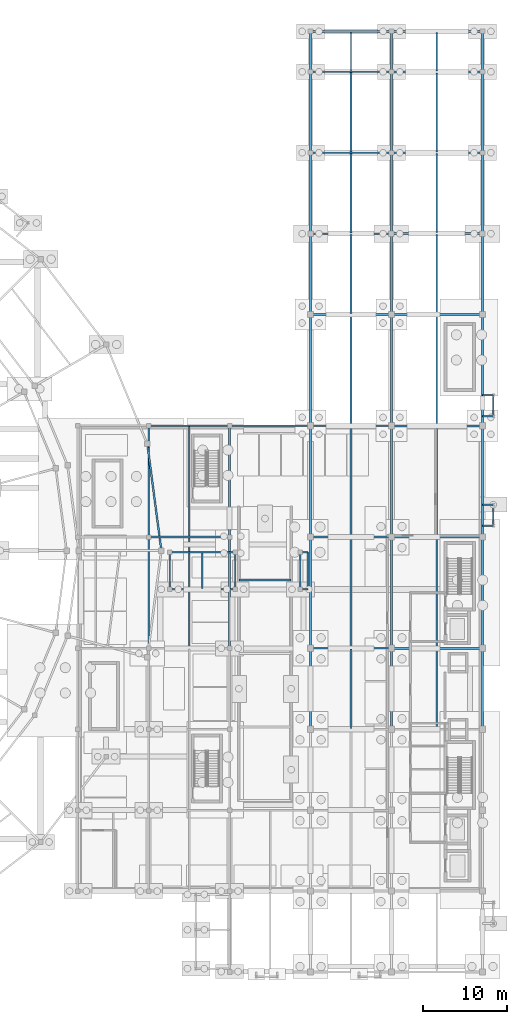
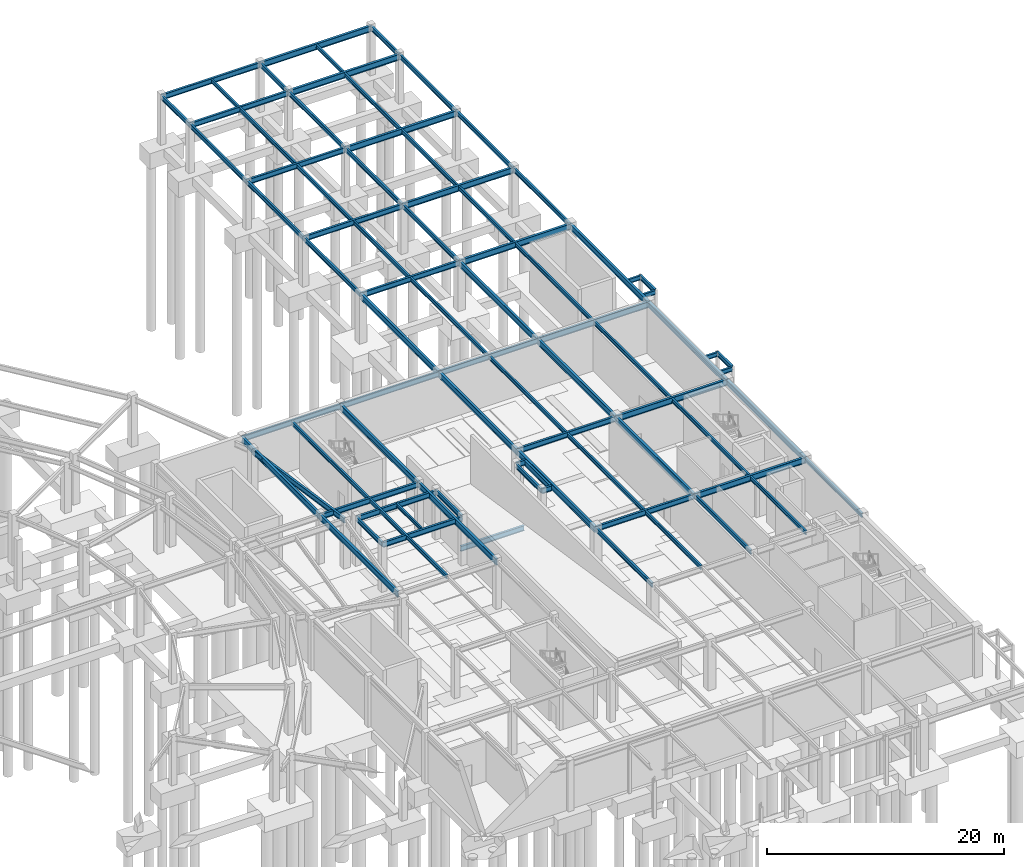
# One storey, part 42 of 55: 82 beams.
"""IFC4 building model written with IfcOpenShell, lengths in metres."""

from ifc_helpers import new_model, si_unit, direction, frame, origin, origin_2d, place, context, subcontext, project, spatial, i_section, extrude, material, material_profile, profile_set, type_object, element, save


model = new_model("IFC4")

# Units and contexts
model_context = context("Model", 3, precision=1e-05, world=origin(), true_north=direction((0.0, 1.0)))
body_context = subcontext(model_context, "Body", "Model", "MODEL_VIEW")
ifc_project = project(units=[si_unit("LENGTHUNIT", "METRE"), si_unit("AREAUNIT", "SQUARE_METRE"), si_unit("VOLUMEUNIT", "CUBIC_METRE"), si_unit("PLANEANGLEUNIT", "RADIAN"), si_unit("MASSUNIT", "GRAM", prefix="KILO")], contexts=[model_context])

# Site, building, storey
site_placement = place(None, origin())
site = spatial("IfcSite", under=ifc_project, at=site_placement, CompositionType="ELEMENT")
building_placement = place(site_placement, origin())
building = spatial("IfcBuilding", under=site, at=building_placement, Name="Almandine Court Research Institute", CompositionType="ELEMENT")
storey_placement = place(building_placement, frame((0.0, 0.0, -5.25)))
storey = spatial("IfcBuildingStorey", under=building, at=storey_placement, Name="B1", CompositionType="ELEMENT", Elevation=-5.25)

# Beams
ifc_material = material(Name="Steel ASTM A992 Grade 50", Category="steel")
ifc_material_profile_1 = material_profile(ifc_material, i_section(OverallWidth=0.18994140625, OverallDepth=0.45703125, WebThickness=0.009033203125, FlangeThickness=0.014892578125, at=origin_2d()), Name="W460x74")
ifc_profile_set_1 = profile_set([ifc_material_profile_1], Name="Steel ASTM A992 Grade 50")
beam_type_1 = type_object("IfcBeamType", Name="Beam-B-01", PredefinedType="BEAM", material=ifc_profile_set_1)
for number, where, z_axis, x_axis, name in (
    (1, (153.60009765625, 34.800048828125, 4.719970703125), (0.0, 1.0, 0.0), (-1.0, 0.0, 0.0), "B1 V4 Primary Y Girder"),
    (2, (163.199951171875, 34.800048828125, 4.77099609375), (0.0, 1.0, 0.0), (-1.0, 0.0, 0.0), "B1 V4 Primary Y Girder"),
    (3, (174.0, 34.800048828125, 4.77099609375), (0.0, 1.0, 0.0), (-1.0, 0.0, 0.0), "B1 V4 Primary Y Girder"),
):
    element("IfcBeam", number, at=place(storey_placement, frame(where, z_axis=z_axis, x_axis=x_axis)), inside=storey, type_object=beam_type_1, Name=name, PredefinedType="BEAM", context=body_context, shape_type="SweptSolid", body=[
        extrude(i_section(OverallWidth=0.18994140625, OverallDepth=0.45703125, WebThickness=0.009033203125, FlangeThickness=0.014892578125, at=origin_2d()), origin(), (0.0, 0.0, 1.0), 9.599853515625),
    ])
for number, where, z_axis, x_axis, name in (
    (4, (153.60009765625, 84.0, 4.77099609375), (0.0, 1.0, 0.0), (-1.0, 0.0, 0.0), "B1 V4 Primary Y Girder"),
    (5, (163.199951171875, 84.0, 4.77099609375), (0.0, 1.0, 0.0), (-1.0, 0.0, 0.0), "B1 V4 Primary Y Girder"),
    (6, (174.0, 84.0, 4.77099609375), (0.0, 1.0, 0.0), (-1.0, 0.0, 0.0), "B1 V4 Primary Y Girder"),
):
    element("IfcBeam", number, at=place(storey_placement, frame(where, z_axis=z_axis, x_axis=x_axis)), inside=storey, type_object=beam_type_1, Name=name, PredefinedType="BEAM", context=body_context, shape_type="SweptSolid", body=[
        extrude(i_section(OverallWidth=0.18994140625, OverallDepth=0.45703125, WebThickness=0.009033203125, FlangeThickness=0.014892578125, at=origin_2d()), origin(), (0.0, 0.0, 1.0), 9.60009765625),
    ])
for number, where, z_axis, x_axis, name in (
    (7, (153.60009765625, 93.60009765625, 4.77099609375), (0.0, 1.0, 0.0), (-1.0, 0.0, 0.0), "B1 V4 Primary Y Girder"),
    (8, (163.199951171875, 93.60009765625, 4.77099609375), (0.0, 1.0, 0.0), (-1.0, 0.0, 0.0), "B1 V4 Primary Y Girder"),
    (9, (174.0, 93.60009765625, 4.77099609375), (0.0, 1.0, 0.0), (-1.0, 0.0, 0.0), "B1 V4 Primary Y Girder"),
):
    element("IfcBeam", number, at=place(storey_placement, frame(where, z_axis=z_axis, x_axis=x_axis)), inside=storey, type_object=beam_type_1, Name=name, PredefinedType="BEAM", context=body_context, shape_type="SweptSolid", body=[
        extrude(i_section(OverallWidth=0.18994140625, OverallDepth=0.45703125, WebThickness=0.009033203125, FlangeThickness=0.014892578125, at=origin_2d()), origin(), (0.0, 0.0, 1.0), 9.599853515625),
    ])
for number, where, z_axis, x_axis, name in (
    (10, (153.60009765625, 103.199951171875, 4.77099609375), (0.0, 1.0, 0.0), (-1.0, 0.0, 0.0), "B1 V4 Primary Y Girder"),
    (11, (163.199951171875, 103.199951171875, 4.77099609375), (0.0, 1.0, 0.0), (-1.0, 0.0, 0.0), "B1 V4 Primary Y Girder"),
    (12, (174.0, 103.199951171875, 4.77099609375), (0.0, 1.0, 0.0), (-1.0, 0.0, 0.0), "B1 V4 Primary Y Girder"),
):
    element("IfcBeam", number, at=place(storey_placement, frame(where, z_axis=z_axis, x_axis=x_axis)), inside=storey, type_object=beam_type_1, Name=name, PredefinedType="BEAM", context=body_context, shape_type="SweptSolid", body=[
        extrude(i_section(OverallWidth=0.18994140625, OverallDepth=0.45703125, WebThickness=0.009033203125, FlangeThickness=0.014892578125, at=origin_2d()), origin(), (0.0, 0.0, 1.0), 9.60009765625),
    ])
for number, where, z_axis, x_axis, name in (
    (13, (153.60009765625, 112.800048828125, 4.77099609375), (0.0, 1.0, 0.0), (-1.0, 0.0, 0.0), "B1 V4 Primary Y Girder"),
    (14, (163.199951171875, 112.800048828125, 4.77099609375), (0.0, 1.0, 0.0), (-1.0, 0.0, 0.0), "B1 V4 Primary Y Girder"),
    (15, (174.0, 112.800048828125, 4.77099609375), (0.0, 1.0, 0.0), (-1.0, 0.0, 0.0), "B1 V4 Primary Y Girder"),
):
    element("IfcBeam", number, at=place(storey_placement, frame(where, z_axis=z_axis, x_axis=x_axis)), inside=storey, type_object=beam_type_1, Name=name, PredefinedType="BEAM", context=body_context, shape_type="SweptSolid", body=[
        extrude(i_section(OverallWidth=0.18994140625, OverallDepth=0.45703125, WebThickness=0.009033203125, FlangeThickness=0.014892578125, at=origin_2d()), origin(), (0.0, 0.0, 1.0), 4.800048828125),
    ])
for number, where, z_axis, x_axis, name in (
    (16, (136.89990234375, 51.39990234375, 4.719970703125), (0.0, 1.0, 0.0), (-1.0, 0.0, 0.0), "B1 DAL-E Primary Y Girder"),
    (17, (144.64990234375, 51.39990234375, 4.77099609375), (0.0, 1.0, 0.0), (-1.0, 0.0, 0.0), "B1 DAL-E Primary Y Girder"),
    (18, (152.39990234375, 51.39990234375, 4.77099609375), (0.0, 1.0, 0.0), (-1.0, 0.0, 0.0), "B1 DAL-E Primary Y Girder"),
):
    element("IfcBeam", number, at=place(storey_placement, frame(where, z_axis=z_axis, x_axis=x_axis)), inside=storey, type_object=beam_type_1, Name=name, PredefinedType="BEAM", context=body_context, shape_type="SweptSolid", body=[
        extrude(i_section(OverallWidth=0.18994140625, OverallDepth=0.45703125, WebThickness=0.009033203125, FlangeThickness=0.014892578125, at=origin_2d()), origin(), (0.0, 0.0, 1.0), 4.400146484375),
    ])
for number, where, z_axis, x_axis, name in (
    (19, (175.300048828125, 58.949951171875, 4.76904296875), (-1.0, 0.0, 0.0), (0.0, -1.0, 0.0), "B1 Threshold Support Beam PAD-V4-E6-1"),
    (20, (175.300048828125, 61.449951171875, 4.76904296875), (-1.0, 0.0, 0.0), (0.0, -1.0, 0.0), "B1 Threshold Support Beam PAD-V4-E6-2"),
):
    element("IfcBeam", number, at=place(storey_placement, frame(where, z_axis=z_axis, x_axis=x_axis)), inside=storey, type_object=beam_type_1, Name=name, PredefinedType="BEAM", context=body_context, shape_type="SweptSolid", body=[
        extrude(i_section(OverallWidth=0.18994140625, OverallDepth=0.45703125, WebThickness=0.009033203125, FlangeThickness=0.014892578125, at=origin_2d()), origin(), (0.0, 0.0, 1.0), 1.300048828125),
    ])
beam_1_placement = place(storey_placement, frame((175.300048828125, 58.949951171875, 4.822021484375), z_axis=(0.0, 1.0, 0.0), x_axis=(-1.0, 0.0, 0.0)))
element("IfcBeam", 21, at=beam_1_placement, inside=storey, type_object=beam_type_1, Name="B1 Threshold Edge Girder PAD-V4-E6-1", PredefinedType="BEAM", context=body_context, shape_type="SweptSolid", body=[
    extrude(i_section(OverallWidth=0.18994140625, OverallDepth=0.45703125, WebThickness=0.009033203125, FlangeThickness=0.014892578125, at=origin_2d()), origin(), (0.0, 0.0, 1.0), 2.5),
])
for number, where, z_axis, x_axis, name in (
    (22, (175.300048828125, 71.949951171875, 4.76904296875), (-1.0, 0.0, 0.0), (0.0, -1.0, 0.0), "B1 Threshold Support Beam PAD-V4-E7-1"),
    (23, (175.300048828125, 74.449951171875, 4.76904296875), (-1.0, 0.0, 0.0), (0.0, -1.0, 0.0), "B1 Threshold Support Beam PAD-V4-E7-2"),
):
    element("IfcBeam", number, at=place(storey_placement, frame(where, z_axis=z_axis, x_axis=x_axis)), inside=storey, type_object=beam_type_1, Name=name, PredefinedType="BEAM", context=body_context, shape_type="SweptSolid", body=[
        extrude(i_section(OverallWidth=0.18994140625, OverallDepth=0.45703125, WebThickness=0.009033203125, FlangeThickness=0.014892578125, at=origin_2d()), origin(), (0.0, 0.0, 1.0), 1.300048828125),
    ])
beam_2_placement = place(storey_placement, frame((175.300048828125, 71.949951171875, 4.822021484375), z_axis=(0.0, 1.0, 0.0), x_axis=(-1.0, 0.0, 0.0)))
element("IfcBeam", 24, at=beam_2_placement, inside=storey, type_object=beam_type_1, Name="B1 Threshold Edge Girder PAD-V4-E7-1", PredefinedType="BEAM", context=body_context, shape_type="SweptSolid", body=[
    extrude(i_section(OverallWidth=0.18994140625, OverallDepth=0.45703125, WebThickness=0.009033203125, FlangeThickness=0.014892578125, at=origin_2d()), origin(), (0.0, 0.0, 1.0), 2.5),
])
ifc_material_profile_2 = material_profile(ifc_material, i_section(OverallWidth=0.178955078125, OverallDepth=0.409912109375, WebThickness=0.009033203125, FlangeThickness=0.013916015625, at=origin_2d()), Name="W410x67")
ifc_profile_set_2 = profile_set([ifc_material_profile_2], Name="Steel ASTM A992 Grade 50")
beam_type_2 = type_object("IfcBeamType", Name="Beam-B-02", PredefinedType="JOIST", material=ifc_profile_set_2)
for number, where, z_axis, x_axis, name in (
    (25, (139.199951171875, 44.5029296875, 4.742919921875), (0.0, 1.0, 0.0), (-1.0, 0.0, 0.0), "B1 B1G Composite Secondary Beam"),
    (26, (139.199951171875, 57.702880859375, 4.742919921875), (0.0, 1.0, 0.0), (-1.0, 0.0, 0.0), "B1 B1G Composite Secondary Beam"),
):
    element("IfcBeam", number, at=place(storey_placement, frame(where, z_axis=z_axis, x_axis=x_axis)), inside=storey, type_object=beam_type_2, Name=name, PredefinedType="JOIST", context=body_context, shape_type="SweptSolid", body=[
        extrude(i_section(OverallWidth=0.178955078125, OverallDepth=0.409912109375, WebThickness=0.009033203125, FlangeThickness=0.013916015625, at=origin_2d()), origin(), (0.0, 0.0, 1.0), 12.994140625),
    ])
beam_3_placement = place(storey_placement, frame((158.39990234375, 34.903076171875, 4.794921875), z_axis=(0.0, 1.0, 0.0), x_axis=(-1.0, 0.0, 0.0)))
element("IfcBeam", 27, at=beam_3_placement, inside=storey, type_object=beam_type_2, Name="B1 V4 Composite Secondary Beam", PredefinedType="JOIST", context=body_context, shape_type="SweptSolid", body=[
    extrude(i_section(OverallWidth=0.178955078125, OverallDepth=0.409912109375, WebThickness=0.009033203125, FlangeThickness=0.013916015625, at=origin_2d()), origin(), (0.0, 0.0, 1.0), 9.39404296875),
])
beam_4_placement = place(storey_placement, frame((168.60009765625, 34.9130859375, 4.794921875), z_axis=(0.0, 1.0, 0.0), x_axis=(-1.0, 0.0, 0.0)))
element("IfcBeam", 28, at=beam_4_placement, inside=storey, type_object=beam_type_2, Name="B1 V4 Composite Secondary Beam", PredefinedType="JOIST", context=body_context, shape_type="SweptSolid", body=[
    extrude(i_section(OverallWidth=0.178955078125, OverallDepth=0.409912109375, WebThickness=0.009033203125, FlangeThickness=0.013916015625, at=origin_2d()), origin(), (0.0, 0.0, 1.0), 9.3740234375),
])
beam_5_placement = place(storey_placement, frame((158.39990234375, 44.5029296875, 4.794921875), z_axis=(0.0, 1.0, 0.0), x_axis=(-1.0, 0.0, 0.0)))
element("IfcBeam", 29, at=beam_5_placement, inside=storey, type_object=beam_type_2, Name="B1 V4 Composite Secondary Beam", PredefinedType="JOIST", context=body_context, shape_type="SweptSolid", body=[
    extrude(i_section(OverallWidth=0.178955078125, OverallDepth=0.409912109375, WebThickness=0.009033203125, FlangeThickness=0.013916015625, at=origin_2d()), origin(), (0.0, 0.0, 1.0), 12.994140625),
])
beam_6_placement = place(storey_placement, frame((168.60009765625, 44.512939453125, 4.794921875), z_axis=(0.0, 1.0, 0.0), x_axis=(-1.0, 0.0, 0.0)))
element("IfcBeam", 30, at=beam_6_placement, inside=storey, type_object=beam_type_2, Name="B1 V4 Composite Secondary Beam", PredefinedType="JOIST", context=body_context, shape_type="SweptSolid", body=[
    extrude(i_section(OverallWidth=0.178955078125, OverallDepth=0.409912109375, WebThickness=0.009033203125, FlangeThickness=0.013916015625, at=origin_2d()), origin(), (0.0, 0.0, 1.0), 12.97412109375),
])
beam_7_placement = place(storey_placement, frame((158.39990234375, 57.702880859375, 4.794921875), z_axis=(0.0, 1.0, 0.0), x_axis=(-1.0, 0.0, 0.0)))
element("IfcBeam", 31, at=beam_7_placement, inside=storey, type_object=beam_type_2, Name="B1 V4 Composite Secondary Beam", PredefinedType="JOIST", context=body_context, shape_type="SweptSolid", body=[
    extrude(i_section(OverallWidth=0.178955078125, OverallDepth=0.409912109375, WebThickness=0.009033203125, FlangeThickness=0.013916015625, at=origin_2d()), origin(), (0.0, 0.0, 1.0), 12.994140625),
])
beam_8_placement = place(storey_placement, frame((168.60009765625, 57.712890625, 4.794921875), z_axis=(0.0, 1.0, 0.0), x_axis=(-1.0, 0.0, 0.0)))
element("IfcBeam", 32, at=beam_8_placement, inside=storey, type_object=beam_type_2, Name="B1 V4 Composite Secondary Beam", PredefinedType="JOIST", context=body_context, shape_type="SweptSolid", body=[
    extrude(i_section(OverallWidth=0.178955078125, OverallDepth=0.409912109375, WebThickness=0.009033203125, FlangeThickness=0.013916015625, at=origin_2d()), origin(), (0.0, 0.0, 1.0), 12.97412109375),
])
beam_9_placement = place(storey_placement, frame((158.39990234375, 70.903076171875, 4.794921875), z_axis=(0.0, 1.0, 0.0), x_axis=(-1.0, 0.0, 0.0)))
element("IfcBeam", 33, at=beam_9_placement, inside=storey, type_object=beam_type_2, Name="B1 V4 Composite Secondary Beam", PredefinedType="JOIST", context=body_context, shape_type="SweptSolid", body=[
    extrude(i_section(OverallWidth=0.178955078125, OverallDepth=0.409912109375, WebThickness=0.009033203125, FlangeThickness=0.013916015625, at=origin_2d()), origin(), (0.0, 0.0, 1.0), 12.993896484375),
])
beam_10_placement = place(storey_placement, frame((168.60009765625, 70.9130859375, 4.794921875), z_axis=(0.0, 1.0, 0.0), x_axis=(-1.0, 0.0, 0.0)))
element("IfcBeam", 34, at=beam_10_placement, inside=storey, type_object=beam_type_2, Name="B1 V4 Composite Secondary Beam", PredefinedType="JOIST", context=body_context, shape_type="SweptSolid", body=[
    extrude(i_section(OverallWidth=0.178955078125, OverallDepth=0.409912109375, WebThickness=0.009033203125, FlangeThickness=0.013916015625, at=origin_2d()), origin(), (0.0, 0.0, 1.0), 12.973876953125),
])
beam_11_placement = place(storey_placement, frame((158.39990234375, 84.10302734375, 4.794921875), z_axis=(0.0, 1.0, 0.0), x_axis=(-1.0, 0.0, 0.0)))
element("IfcBeam", 35, at=beam_11_placement, inside=storey, type_object=beam_type_2, Name="B1 V4 Composite Secondary Beam", PredefinedType="JOIST", context=body_context, shape_type="SweptSolid", body=[
    extrude(i_section(OverallWidth=0.178955078125, OverallDepth=0.409912109375, WebThickness=0.009033203125, FlangeThickness=0.013916015625, at=origin_2d()), origin(), (0.0, 0.0, 1.0), 9.39306640625),
])
beam_12_placement = place(storey_placement, frame((168.60009765625, 84.113037109375, 4.794921875), z_axis=(0.0, 1.0, 0.0), x_axis=(-1.0, 0.0, 0.0)))
element("IfcBeam", 36, at=beam_12_placement, inside=storey, type_object=beam_type_2, Name="B1 V4 Composite Secondary Beam", PredefinedType="JOIST", context=body_context, shape_type="SweptSolid", body=[
    extrude(i_section(OverallWidth=0.178955078125, OverallDepth=0.409912109375, WebThickness=0.009033203125, FlangeThickness=0.013916015625, at=origin_2d()), origin(), (0.0, 0.0, 1.0), 9.3740234375),
])
beam_13_placement = place(storey_placement, frame((158.39990234375, 93.702880859375, 4.794921875), z_axis=(0.0, 1.0, 0.0), x_axis=(-1.0, 0.0, 0.0)))
element("IfcBeam", 37, at=beam_13_placement, inside=storey, type_object=beam_type_2, Name="B1 V4 Composite Secondary Beam", PredefinedType="JOIST", context=body_context, shape_type="SweptSolid", body=[
    extrude(i_section(OverallWidth=0.178955078125, OverallDepth=0.409912109375, WebThickness=0.009033203125, FlangeThickness=0.013916015625, at=origin_2d()), origin(), (0.0, 0.0, 1.0), 9.39404296875),
])
beam_14_placement = place(storey_placement, frame((168.60009765625, 93.712890625, 4.794921875), z_axis=(0.0, 1.0, 0.0), x_axis=(-1.0, 0.0, 0.0)))
element("IfcBeam", 38, at=beam_14_placement, inside=storey, type_object=beam_type_2, Name="B1 V4 Composite Secondary Beam", PredefinedType="JOIST", context=body_context, shape_type="SweptSolid", body=[
    extrude(i_section(OverallWidth=0.178955078125, OverallDepth=0.409912109375, WebThickness=0.009033203125, FlangeThickness=0.013916015625, at=origin_2d()), origin(), (0.0, 0.0, 1.0), 9.3740234375),
])
beam_15_placement = place(storey_placement, frame((158.39990234375, 103.302978515625, 4.794921875), z_axis=(0.0, 1.0, 0.0), x_axis=(-1.0, 0.0, 0.0)))
element("IfcBeam", 39, at=beam_15_placement, inside=storey, type_object=beam_type_2, Name="B1 V4 Composite Secondary Beam", PredefinedType="JOIST", context=body_context, shape_type="SweptSolid", body=[
    extrude(i_section(OverallWidth=0.178955078125, OverallDepth=0.409912109375, WebThickness=0.009033203125, FlangeThickness=0.013916015625, at=origin_2d()), origin(), (0.0, 0.0, 1.0), 9.39404296875),
])
beam_16_placement = place(storey_placement, frame((168.60009765625, 103.31298828125, 4.794921875), z_axis=(0.0, 1.0, 0.0), x_axis=(-1.0, 0.0, 0.0)))
element("IfcBeam", 40, at=beam_16_placement, inside=storey, type_object=beam_type_2, Name="B1 V4 Composite Secondary Beam", PredefinedType="JOIST", context=body_context, shape_type="SweptSolid", body=[
    extrude(i_section(OverallWidth=0.178955078125, OverallDepth=0.409912109375, WebThickness=0.009033203125, FlangeThickness=0.013916015625, at=origin_2d()), origin(), (0.0, 0.0, 1.0), 9.3740234375),
])
ifc_material_profile_3 = material_profile(ifc_material, i_section(OverallWidth=0.172119140625, OverallDepth=0.35791015625, WebThickness=0.008056640625, FlangeThickness=0.012939453125, at=origin_2d()), Name="W360x57")
ifc_profile_set_3 = profile_set([ifc_material_profile_3], Name="Steel ASTM A992 Grade 50")
beam_type_3 = type_object("IfcBeamType", Name="Beam-B-03", PredefinedType="JOIST", material=ifc_profile_set_3)
beam_17_placement = place(storey_placement, frame((158.39990234375, 112.903076171875, 4.821044921875), z_axis=(0.0, 1.0, 0.0), x_axis=(-1.0, 0.0, 0.0)))
element("IfcBeam", 41, at=beam_17_placement, inside=storey, type_object=beam_type_3, Name="B1 V4 Composite Secondary Beam", PredefinedType="JOIST", context=body_context, shape_type="SweptSolid", body=[
    extrude(i_section(OverallWidth=0.172119140625, OverallDepth=0.35791015625, WebThickness=0.008056640625, FlangeThickness=0.012939453125, at=origin_2d()), origin(), (0.0, 0.0, 1.0), 4.593017578125),
])
beam_18_placement = place(storey_placement, frame((168.60009765625, 112.9130859375, 4.821044921875), z_axis=(0.0, 1.0, 0.0), x_axis=(-1.0, 0.0, 0.0)))
element("IfcBeam", 42, at=beam_18_placement, inside=storey, type_object=beam_type_3, Name="B1 V4 Composite Secondary Beam", PredefinedType="JOIST", context=body_context, shape_type="SweptSolid", body=[
    extrude(i_section(OverallWidth=0.172119140625, OverallDepth=0.35791015625, WebThickness=0.008056640625, FlangeThickness=0.012939453125, at=origin_2d()), origin(), (0.0, 0.0, 1.0), 4.573974609375),
])
beam_19_placement = place(storey_placement, frame((140.77490234375, 51.5029296875, 4.821044921875), z_axis=(0.0, 1.0, 0.0), x_axis=(-1.0, 0.0, 0.0)))
element("IfcBeam", 43, at=beam_19_placement, inside=storey, type_object=beam_type_3, Name="B1 DAL-E Composite Secondary Beam", PredefinedType="JOIST", context=body_context, shape_type="SweptSolid", body=[
    extrude(i_section(OverallWidth=0.172119140625, OverallDepth=0.35791015625, WebThickness=0.008056640625, FlangeThickness=0.012939453125, at=origin_2d()), origin(), (0.0, 0.0, 1.0), 4.194091796875),
])
ifc_material_profile_4 = material_profile(ifc_material, i_section(OverallWidth=0.22998046875, OverallDepth=0.616943359375, WebThickness=0.012939453125, FlangeThickness=0.02197265625, at=origin_2d()), Name="W610x140")
ifc_profile_set_4 = profile_set([ifc_material_profile_4], Name="Steel ASTM A992 Grade 50")
beam_type_4 = type_object("IfcBeamType", Name="Beam-G-02", PredefinedType="BEAM", material=ifc_profile_set_4)
for number, where, z_axis, x_axis, name in (
    (44, (163.199951171875, 44.39990234375, 4.69189453125), (1.0, 0.0, 0.0), (0.0, 1.0, 0.0), "B1 V4 Primary X Girder"),
    (45, (163.199951171875, 57.60009765625, 4.69189453125), (1.0, 0.0, 0.0), (0.0, 1.0, 0.0), "B1 V4 Primary X Girder"),
    (46, (163.199951171875, 70.800048828125, 4.69189453125), (1.0, 0.0, 0.0), (0.0, 1.0, 0.0), "B1 V4 Primary X Girder"),
    (47, (163.199951171875, 84.0, 4.69189453125), (1.0, 0.0, 0.0), (0.0, 1.0, 0.0), "B1 V4 Primary X Girder"),
    (48, (163.199951171875, 93.60009765625, 4.69189453125), (1.0, 0.0, 0.0), (0.0, 1.0, 0.0), "B1 V4 Primary X Girder"),
    (49, (163.199951171875, 103.199951171875, 4.69189453125), (1.0, 0.0, 0.0), (0.0, 1.0, 0.0), "B1 V4 Primary X Girder"),
    (50, (163.199951171875, 112.800048828125, 4.69189453125), (1.0, 0.0, 0.0), (0.0, 1.0, 0.0), "B1 V4 Primary X Girder"),
    (51, (163.199951171875, 117.60009765625, 4.69189453125), (1.0, 0.0, 0.0), (0.0, 1.0, 0.0), "B1 V4 Primary X Girder"),
):
    element("IfcBeam", number, at=place(storey_placement, frame(where, z_axis=z_axis, x_axis=x_axis)), inside=storey, type_object=beam_type_4, Name=name, PredefinedType="BEAM", context=body_context, shape_type="SweptSolid", body=[
        extrude(i_section(OverallWidth=0.22998046875, OverallDepth=0.616943359375, WebThickness=0.012939453125, FlangeThickness=0.02197265625, at=origin_2d()), origin(), (0.0, 0.0, 1.0), 10.800048828125),
    ])
ifc_material_profile_5 = material_profile(ifc_material, i_section(OverallWidth=0.22802734375, OverallDepth=0.60791015625, WebThickness=0.010986328125, FlangeThickness=0.01708984375, at=origin_2d()), Name="W610x113")
ifc_profile_set_5 = profile_set([ifc_material_profile_5], Name="Steel ASTM A992 Grade 50")
beam_type_5 = type_object("IfcBeamType", Name="Beam-G-03", PredefinedType="BEAM", material=ifc_profile_set_5)
for number, where, z_axis, x_axis, name in (
    (52, (134.39990234375, 44.39990234375, 4.696044921875), (0.0, 1.0, 0.0), (-1.0, 0.0, 0.0), "B1 B1G Primary Y Girder"),
    (53, (144.0, 44.39990234375, 4.64404296875), (0.0, 1.0, 0.0), (-1.0, 0.0, 0.0), "B1 B1G Primary Y Girder"),
):
    element("IfcBeam", number, at=place(storey_placement, frame(where, z_axis=z_axis, x_axis=x_axis)), inside=storey, type_object=beam_type_5, Name=name, PredefinedType="BEAM", context=body_context, shape_type="SweptSolid", body=[
        extrude(i_section(OverallWidth=0.22802734375, OverallDepth=0.60791015625, WebThickness=0.010986328125, FlangeThickness=0.01708984375, at=origin_2d()), origin(), (0.0, 0.0, 1.0), 13.2001953125),
    ])
for number, where, z_axis, x_axis, name in (
    (54, (134.39990234375, 57.60009765625, 4.696044921875), (0.0, 1.0, 0.0), (-1.0, 0.0, 0.0), "B1 B1G Primary Y Girder"),
    (55, (144.0, 57.60009765625, 4.64404296875), (0.0, 1.0, 0.0), (-1.0, 0.0, 0.0), "B1 B1G Primary Y Girder"),
):
    element("IfcBeam", number, at=place(storey_placement, frame(where, z_axis=z_axis, x_axis=x_axis)), inside=storey, type_object=beam_type_5, Name=name, PredefinedType="BEAM", context=body_context, shape_type="SweptSolid", body=[
        extrude(i_section(OverallWidth=0.22802734375, OverallDepth=0.60791015625, WebThickness=0.010986328125, FlangeThickness=0.01708984375, at=origin_2d()), origin(), (0.0, 0.0, 1.0), 13.199951171875),
    ])
for number, where, z_axis, x_axis, name in (
    (56, (153.60009765625, 44.39990234375, 4.64404296875), (0.0, 1.0, 0.0), (-1.0, 0.0, 0.0), "B1 V4 Primary Y Girder"),
    (57, (163.199951171875, 44.39990234375, 4.696044921875), (0.0, 1.0, 0.0), (-1.0, 0.0, 0.0), "B1 V4 Primary Y Girder"),
    (58, (174.0, 44.39990234375, 4.696044921875), (0.0, 1.0, 0.0), (-1.0, 0.0, 0.0), "B1 V4 Primary Y Girder"),
):
    element("IfcBeam", number, at=place(storey_placement, frame(where, z_axis=z_axis, x_axis=x_axis)), inside=storey, type_object=beam_type_5, Name=name, PredefinedType="BEAM", context=body_context, shape_type="SweptSolid", body=[
        extrude(i_section(OverallWidth=0.22802734375, OverallDepth=0.60791015625, WebThickness=0.010986328125, FlangeThickness=0.01708984375, at=origin_2d()), origin(), (0.0, 0.0, 1.0), 13.2001953125),
    ])
for number, where, z_axis, x_axis, name in (
    (59, (153.60009765625, 57.60009765625, 4.64404296875), (0.0, 1.0, 0.0), (-1.0, 0.0, 0.0), "B1 V4 Primary Y Girder"),
    (60, (163.199951171875, 57.60009765625, 4.696044921875), (0.0, 1.0, 0.0), (-1.0, 0.0, 0.0), "B1 V4 Primary Y Girder"),
    (61, (174.0, 57.60009765625, 4.696044921875), (0.0, 1.0, 0.0), (-1.0, 0.0, 0.0), "B1 V4 Primary Y Girder"),
    (62, (153.60009765625, 70.800048828125, 4.696044921875), (0.0, 1.0, 0.0), (-1.0, 0.0, 0.0), "B1 V4 Primary Y Girder"),
    (63, (163.199951171875, 70.800048828125, 4.696044921875), (0.0, 1.0, 0.0), (-1.0, 0.0, 0.0), "B1 V4 Primary Y Girder"),
    (64, (174.0, 70.800048828125, 4.696044921875), (0.0, 1.0, 0.0), (-1.0, 0.0, 0.0), "B1 V4 Primary Y Girder"),
):
    element("IfcBeam", number, at=place(storey_placement, frame(where, z_axis=z_axis, x_axis=x_axis)), inside=storey, type_object=beam_type_5, Name=name, PredefinedType="BEAM", context=body_context, shape_type="SweptSolid", body=[
        extrude(i_section(OverallWidth=0.22802734375, OverallDepth=0.60791015625, WebThickness=0.010986328125, FlangeThickness=0.01708984375, at=origin_2d()), origin(), (0.0, 0.0, 1.0), 13.199951171875),
    ])
ifc_material_profile_6 = material_profile(ifc_material, i_section(OverallWidth=0.2109375, OverallDepth=0.5390625, WebThickness=0.011962890625, FlangeThickness=0.01904296875, at=origin_2d()), Name="W530x109")
ifc_profile_set_6 = profile_set([ifc_material_profile_6], Name="Steel ASTM A992 Grade 50")
beam_type_6 = type_object("IfcBeamType", Name="Beam-G-04", PredefinedType="BEAM", material=ifc_profile_set_6)
for number, where, z_axis, x_axis, name in (
    (65, (134.39990234375, 57.60009765625, 4.677978515625), (1.0, 0.0, 0.0), (0.0, 1.0, 0.0), "B1 B1G Primary X Girder"),
    (66, (134.39990234375, 70.800048828125, 4.677978515625), (1.0, 0.0, 0.0), (0.0, 1.0, 0.0), "B1 B1G Primary X Girder"),
):
    element("IfcBeam", number, at=place(storey_placement, frame(where, z_axis=z_axis, x_axis=x_axis)), inside=storey, type_object=beam_type_6, Name=name, PredefinedType="BEAM", context=body_context, shape_type="SweptSolid", body=[
        extrude(i_section(OverallWidth=0.2109375, OverallDepth=0.5390625, WebThickness=0.011962890625, FlangeThickness=0.01904296875, at=origin_2d()), origin(), (0.0, 0.0, 1.0), 9.60009765625),
    ])
for number, where, z_axis, x_axis, name in (
    (67, (153.60009765625, 44.39990234375, 4.72998046875), (1.0, 0.0, 0.0), (0.0, 1.0, 0.0), "B1 V4 Primary X Girder"),
    (68, (153.60009765625, 57.60009765625, 4.72998046875), (1.0, 0.0, 0.0), (0.0, 1.0, 0.0), "B1 V4 Primary X Girder"),
):
    element("IfcBeam", number, at=place(storey_placement, frame(where, z_axis=z_axis, x_axis=x_axis)), inside=storey, type_object=beam_type_6, Name=name, PredefinedType="BEAM", context=body_context, shape_type="SweptSolid", body=[
        extrude(i_section(OverallWidth=0.2109375, OverallDepth=0.5390625, WebThickness=0.011962890625, FlangeThickness=0.01904296875, at=origin_2d()), origin(), (0.0, 0.0, 1.0), 9.599853515625),
    ])
beam_20_placement = place(storey_placement, frame((144.0, 70.800048828125, 4.677978515625), z_axis=(1.0, 0.0, 0.0), x_axis=(0.0, 1.0, 0.0)))
element("IfcBeam", 69, at=beam_20_placement, inside=storey, type_object=beam_type_6, Name="B1 V4 Primary X Girder", PredefinedType="BEAM", context=body_context, shape_type="SweptSolid", body=[
    extrude(i_section(OverallWidth=0.2109375, OverallDepth=0.5390625, WebThickness=0.011962890625, FlangeThickness=0.01904296875, at=origin_2d()), origin(), (0.0, 0.0, 1.0), 9.60009765625),
])
for number, where, z_axis, x_axis, name in (
    (70, (153.60009765625, 70.800048828125, 4.72998046875), (1.0, 0.0, 0.0), (0.0, 1.0, 0.0), "B1 V4 Primary X Girder"),
    (71, (153.60009765625, 84.0, 4.72998046875), (1.0, 0.0, 0.0), (0.0, 1.0, 0.0), "B1 V4 Primary X Girder"),
    (72, (153.60009765625, 93.60009765625, 4.72998046875), (1.0, 0.0, 0.0), (0.0, 1.0, 0.0), "B1 V4 Primary X Girder"),
    (73, (153.60009765625, 103.199951171875, 4.72998046875), (1.0, 0.0, 0.0), (0.0, 1.0, 0.0), "B1 V4 Primary X Girder"),
    (74, (153.60009765625, 112.800048828125, 4.72998046875), (1.0, 0.0, 0.0), (0.0, 1.0, 0.0), "B1 V4 Primary X Girder"),
    (75, (153.60009765625, 117.60009765625, 4.72998046875), (1.0, 0.0, 0.0), (0.0, 1.0, 0.0), "B1 V4 Primary X Girder"),
):
    element("IfcBeam", number, at=place(storey_placement, frame(where, z_axis=z_axis, x_axis=x_axis)), inside=storey, type_object=beam_type_6, Name=name, PredefinedType="BEAM", context=body_context, shape_type="SweptSolid", body=[
        extrude(i_section(OverallWidth=0.2109375, OverallDepth=0.5390625, WebThickness=0.011962890625, FlangeThickness=0.01904296875, at=origin_2d()), origin(), (0.0, 0.0, 1.0), 9.599853515625),
    ])
for number, where, z_axis, x_axis, name in (
    (76, (136.89990234375, 51.39990234375, 4.677978515625), (1.0, 0.0, 0.0), (0.0, 1.0, 0.0), "B1 DAL-E Primary X Girder"),
    (77, (136.89990234375, 55.800048828125, 4.677978515625), (1.0, 0.0, 0.0), (0.0, 1.0, 0.0), "B1 DAL-E Primary X Girder"),
):
    element("IfcBeam", number, at=place(storey_placement, frame(where, z_axis=z_axis, x_axis=x_axis)), inside=storey, type_object=beam_type_6, Name=name, PredefinedType="BEAM", context=body_context, shape_type="SweptSolid", body=[
        extrude(i_section(OverallWidth=0.2109375, OverallDepth=0.5390625, WebThickness=0.011962890625, FlangeThickness=0.01904296875, at=origin_2d()), origin(), (0.0, 0.0, 1.0), 7.75),
    ])
for number, where, z_axis, x_axis, name in (
    (78, (152.39990234375, 51.39990234375, 4.780029296875), (1.0, 0.0, 0.0), (0.0, 1.0, 0.0), "B1 DAL-E Longitudinal Bridge Edge Girder Extension 1"),
    (79, (152.39990234375, 55.800048828125, 4.780029296875), (1.0, 0.0, 0.0), (0.0, 1.0, 0.0), "B1 DAL-E Longitudinal Bridge Edge Girder Extension 2"),
):
    element("IfcBeam", number, at=place(storey_placement, frame(where, z_axis=z_axis, x_axis=x_axis)), inside=storey, type_object=beam_type_6, Name=name, PredefinedType="BEAM", context=body_context, shape_type="SweptSolid", body=[
        extrude(i_section(OverallWidth=0.2109375, OverallDepth=0.5390625, WebThickness=0.011962890625, FlangeThickness=0.01904296875, at=origin_2d()), origin(), (0.0, 0.0, 1.0), 0.900146484375),
    ])
beam_21_placement = place(storey_placement, frame((153.300048828125, 51.39990234375, 4.72802734375), z_axis=(0.0, 1.0, 0.0), x_axis=(-1.0, 0.0, 0.0)))
element("IfcBeam", 80, at=beam_21_placement, inside=storey, type_object=beam_type_6, Name="B1 DAL-E Bridge End Seat Diaphragm Girder", PredefinedType="BEAM", context=body_context, shape_type="SweptSolid", body=[
    extrude(i_section(OverallWidth=0.2109375, OverallDepth=0.5390625, WebThickness=0.011962890625, FlangeThickness=0.01904296875, at=origin_2d()), origin(), (0.0, 0.0, 1.0), 4.400146484375),
])
beam_22_placement = place(storey_placement, frame((135.89990234375, 56.0, 4.72998046875), z_axis=(-0.130512396599, 0.991446677504, 0.0), x_axis=(-0.991446677504, -0.130512396599, 0.0)))
element("IfcBeam", 81, at=beam_22_placement, inside=storey, type_object=beam_type_6, Name="B1 Drum OUT Ring Beam 00", PredefinedType="BEAM", context=body_context, shape_type="SweptSolid", body=[
    extrude(i_section(OverallWidth=0.2109375, OverallDepth=0.5390625, WebThickness=0.011962890625, FlangeThickness=0.01904296875, at=origin_2d()), origin(), (0.0, 0.0, 1.0), 12.76513671875),
])
beam_23_placement = place(storey_placement, frame((145.10009765625, 52.52001953125, 0.716064453125), z_axis=(1.0, 0.0, 0.0), x_axis=(0.0, 1.0, 0.0)))
element("IfcBeam", 82, at=beam_23_placement, inside=storey, type_object=beam_type_6, Name="B1 Vehicle Ramp Transverse Support Girder 4", PredefinedType="BEAM", context=body_context, shape_type="SweptSolid", body=[
    extrude(i_section(OverallWidth=0.2109375, OverallDepth=0.5390625, WebThickness=0.011962890625, FlangeThickness=0.01904296875, at=origin_2d()), origin(), (0.0, 0.0, 1.0), 6.199951171875),
])

save(model, "model.ifc")
